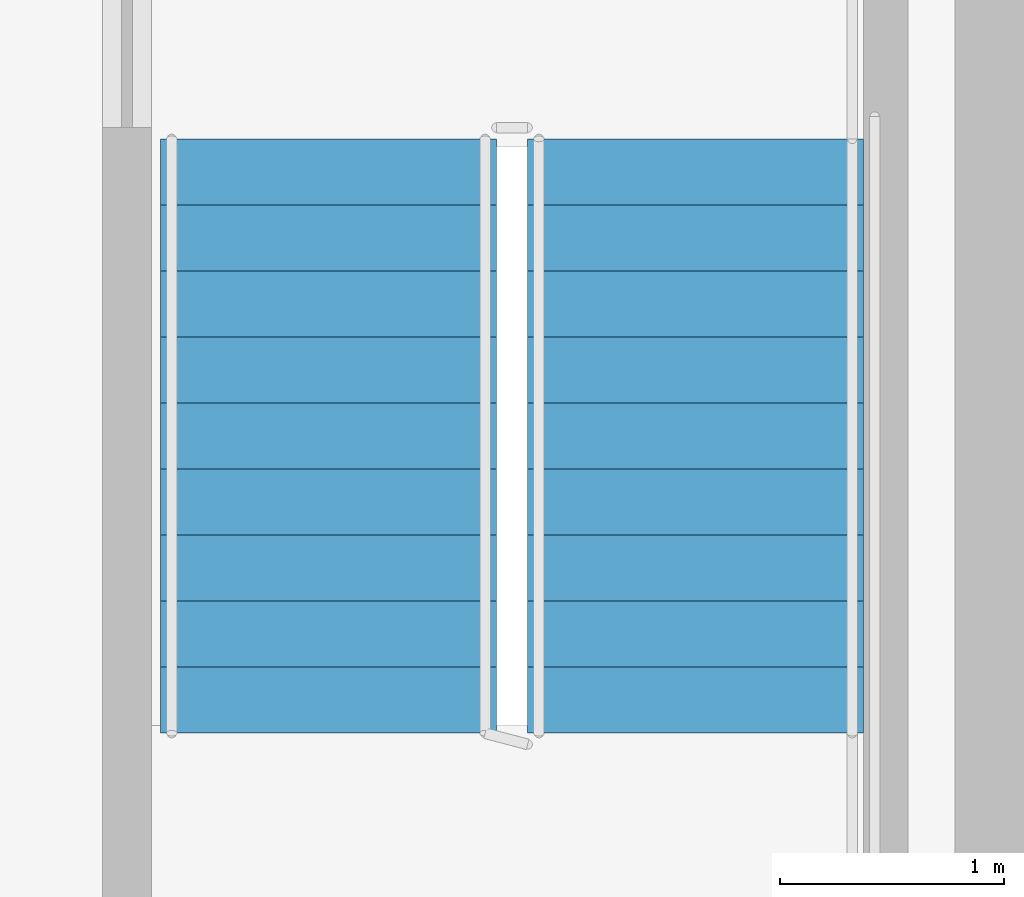
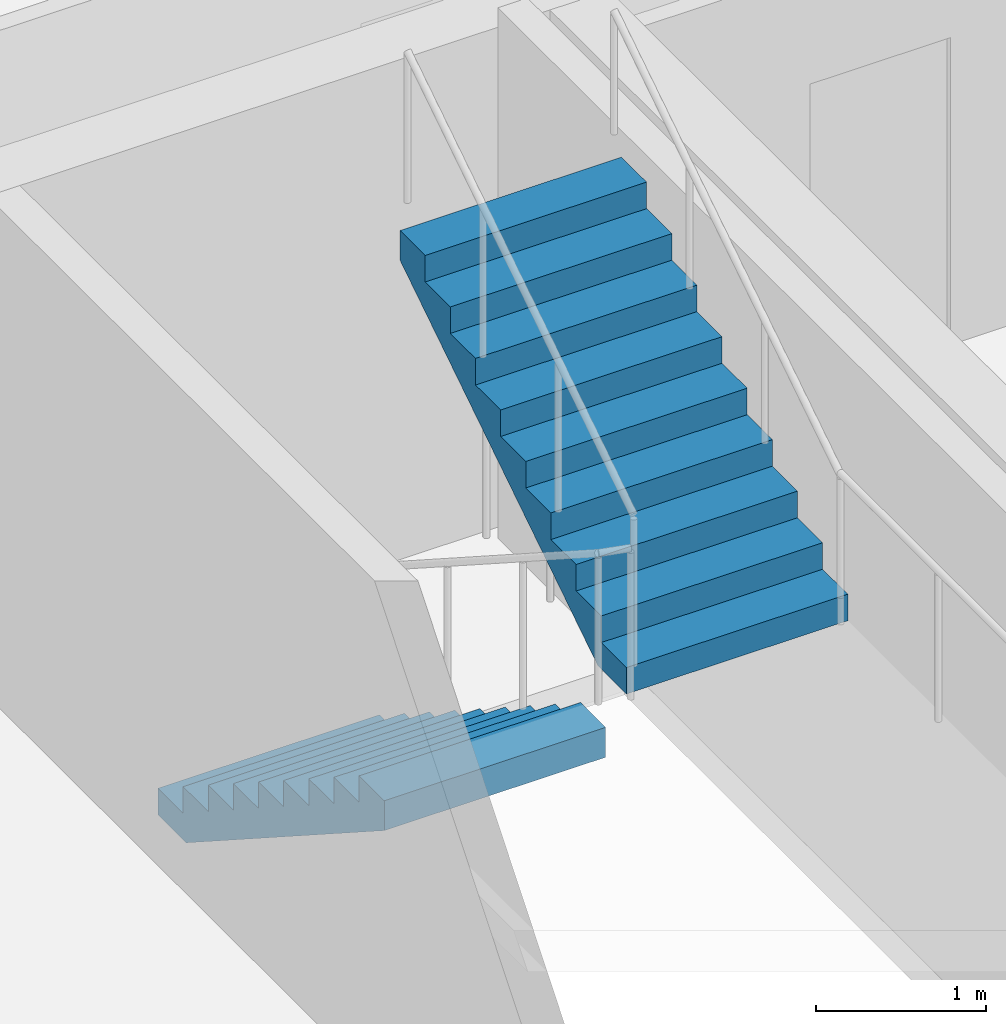
# One storey, part 26 of 29: 2 stair flights, 1 element without a shape of its own.
"""IFC4 building model written with IfcOpenShell, lengths in metres."""

import ifcopenshell
import ifcopenshell.guid

model = None  # the IFC model being written
_history = None  # IfcOwnerHistory: only IFC2X3 demands one
_inside = {}  # id of a spatial element -> (the spatial element, [elements in it])
_under = {}  # id of a project, library or spatial element -> (it, [spatial elements below it])
_declared = {}  # id of a project -> (the project, [libraries it declares])
_typed = {}  # id of a type object -> (the type object, [elements of that type])
_made_of = {}  # id of a material, layer set ... -> (it, [elements and type objects made of it])


def new_model(schema):
    """Start an empty IFC model of exactly this schema.

    Asked for "IFC4X3", IfcOpenShell would pick the latest addendum, in which some entities
    have other attributes; the version numbers below select the first issue.
    IFC2X3 requires an IfcOwnerHistory on every rooted entity: one is made here for all.
    """
    global model, _history
    if schema == "IFC4X3":
        model = ifcopenshell.file(schema_version=(4, 3, 0, 0))
    else:
        model = ifcopenshell.file(schema=schema)
    _inside.clear()
    _under.clear()
    _declared.clear()
    _typed.clear()
    _made_of.clear()
    _history = None
    if model.schema == "IFC2X3":
        org = make("IfcOrganization", Name="unknown")
        user = make(
            "IfcPersonAndOrganization",
            ThePerson=make("IfcPerson", FamilyName="unknown"),
            TheOrganization=org,
        )
        app = make(
            "IfcApplication",
            ApplicationDeveloper=org,
            Version="unknown",
            ApplicationFullName="unknown",
            ApplicationIdentifier="unknown",
        )
        _history = make(
            "IfcOwnerHistory",
            OwningUser=user,
            OwningApplication=app,
            ChangeAction="ADDED",
            CreationDate=0,
        )
    return model


def make(cls, **values):
    """One entity of the class cls with the attributes given. An attribute that is None is left unset."""
    return model.create_entity(
        cls, **{name: value for name, value in values.items() if value is not None}
    )


def rooted(cls, **values):
    """An entity with a GlobalId (a new one), such as an element, a storey or a relation."""
    return make(cls, GlobalId=ifcopenshell.guid.new(), OwnerHistory=_history, **values)


def si_unit(unit_type, name, prefix=None):
    """IfcSIUnit, for example si_unit("LENGTHUNIT", "METRE", prefix="MILLI")."""
    return make("IfcSIUnit", UnitType=unit_type, Prefix=prefix, Name=name)


def assignment(units):
    """IfcUnitAssignment: the units of a project."""
    return None if units is None else make("IfcUnitAssignment", Units=units)


def point(xyz):
    """IfcCartesianPoint."""
    return None if xyz is None else make("IfcCartesianPoint", Coordinates=xyz)


def direction(xyz):
    """IfcDirection."""
    return None if xyz is None else make("IfcDirection", DirectionRatios=xyz)


def frame(location, z_axis=None, x_axis=None):
    """IfcAxis2Placement3D, a coordinate frame: its origin and axes. An axis left out is left unset."""
    return make(
        "IfcAxis2Placement3D",
        Location=point(location),
        Axis=direction(z_axis),
        RefDirection=direction(x_axis),
    )


def origin():
    """The frame at (0, 0, 0) with its axes left unset."""
    return frame((0.0, 0.0, 0.0))


def place(relative_to, where):
    """IfcLocalPlacement: puts the frame where relative to a parent placement (None: the world)."""
    return make(
        "IfcLocalPlacement", PlacementRelTo=relative_to, RelativePlacement=where
    )


def context(
    kind, dimensions, precision=None, world=None, true_north=None, identifier=None
):
    """IfcGeometricRepresentationContext, for example the 3D "Model" context."""
    return make(
        "IfcGeometricRepresentationContext",
        ContextIdentifier=identifier,
        ContextType=kind,
        CoordinateSpaceDimension=dimensions,
        Precision=precision,
        WorldCoordinateSystem=world,
        TrueNorth=true_north,
    )


def subcontext(parent, identifier, kind, view, scale=None):
    """IfcGeometricRepresentationSubContext, for example "Body" below "Model"."""
    return make(
        "IfcGeometricRepresentationSubContext",
        ContextIdentifier=identifier,
        ContextType=kind,
        ParentContext=parent,
        TargetScale=scale,
        TargetView=view,
    )


def project(units=None, contexts=None):
    """IfcProject with its units and contexts."""
    return rooted(
        "IfcProject",
        Name="project",
        RepresentationContexts=contexts,
        UnitsInContext=assignment(units),
    )


def spatial(cls, under=None, at=None, **own):
    """A site, building, storey or space (cls), placed at a placement, below another one or the project."""
    s = rooted(cls, ObjectPlacement=at, **own)
    if under is not None:
        _under.setdefault(under.id(), (under, []))[1].append(s)
    return s


def polyline(points):
    """IfcPolyline through the points."""
    return make("IfcPolyline", Points=[point(p) for p in points])


def outline(outer, holes=None, kind="AREA"):
    """IfcArbitraryClosedProfileDef: a profile drawn as a closed curve; with holes, ...WithVoids."""
    if holes is None:
        return make("IfcArbitraryClosedProfileDef", ProfileType=kind, OuterCurve=outer)
    return make(
        "IfcArbitraryProfileDefWithVoids",
        ProfileType=kind,
        OuterCurve=outer,
        InnerCurves=holes,
    )


def extrude(swept, where, along, depth):
    """IfcExtrudedAreaSolid: the profile swept, set in the frame where, extruded along a direction by depth."""
    return make(
        "IfcExtrudedAreaSolid",
        SweptArea=swept,
        Position=where,
        ExtrudedDirection=direction(along),
        Depth=depth,
    )


def shape(context_of_items, identifier, shape_type, items):
    """IfcShapeRepresentation: the items that make up one representation, for example the "Body"."""
    return make(
        "IfcShapeRepresentation",
        ContextOfItems=context_of_items,
        RepresentationIdentifier=identifier,
        RepresentationType=shape_type,
        Items=items,
    )


def material(Name=None, Category=None):
    """IfcMaterial."""
    return make("IfcMaterial", Name=Name, Category=Category)


def made_of(thing, what):
    """Note that an element or type object is made of a material, layer set ...; save() writes the relation."""
    if what is not None:
        _made_of.setdefault(what.id(), (what, []))[1].append(thing)
    return thing


def type_object(cls, material=None, **own):
    """A type object (cls), such as IfcWallType, which elements share."""
    return made_of(rooted(cls, **own), material)


def element(
    cls,
    number,
    at=None,
    inside=None,
    cuts=None,
    type_object=None,
    material=None,
    context=None,
    identifier="Body",
    shape_type=None,
    held_by="IfcProductDefinitionShape",
    body=None,
    shapes=None,
    **own,
):
    """One element of the class cls, such as IfcWall. Its Tag is "e" and its number.

    at: its placement. inside: the storey or other place that contains it. cuts: it is an
    opening in that element (IfcRelVoidsElement). A single representation is given by context,
    identifier, shape_type and body (its items); several are given by shapes. held_by: the class
    of the entity that holds the representations. save() writes the other relations.
    """
    e = rooted(cls, Tag="e%d" % number, ObjectPlacement=at, **own)
    if body is not None:
        shapes = [shape(context, identifier, shape_type, body)]
    if shapes is not None:
        e.Representation = make(held_by, Representations=shapes)
    if inside is not None:
        _inside.setdefault(inside.id(), (inside, []))[1].append(e)
    if cuts is not None:
        rooted(
            "IfcRelVoidsElement", RelatingBuildingElement=cuts, RelatedOpeningElement=e
        )
    if type_object is not None:
        _typed.setdefault(type_object.id(), (type_object, []))[1].append(e)
    return made_of(e, material)


def aggregate(whole, parts):
    """IfcRelAggregates: a whole, such as a stair, and the parts it consists of."""
    return rooted("IfcRelAggregates", RelatingObject=whole, RelatedObjects=parts)


def save(model, path):
    """Write the relations noted so far, then the file.

    IfcRelAggregates (storeys below a building ...), IfcRelContainedInSpatialStructure (elements
    in a storey), IfcRelDefinesByType, IfcRelAssociatesMaterial and IfcRelDeclares: one each for
    every whole, place, type object, material and project.
    """
    for whole, parts in _under.values():
        aggregate(whole, parts)
    for where, things in _inside.values():
        rooted(
            "IfcRelContainedInSpatialStructure",
            RelatedElements=things,
            RelatingStructure=where,
        )
    for kind, things in _typed.values():
        rooted("IfcRelDefinesByType", RelatedObjects=things, RelatingType=kind)
    for what, things in _made_of.values():
        rooted("IfcRelAssociatesMaterial", RelatedObjects=things, RelatingMaterial=what)
    for by, libraries in _declared.values():
        rooted("IfcRelDeclares", RelatingContext=by, RelatedDefinitions=libraries)
    model.write(path)


model = new_model("IFC4")

# Units and contexts
model_context = context("Model", 3, precision=1e-05, world=origin(), true_north=direction((0.0, 1.0)))
body_context = subcontext(model_context, "Body", "Model", "MODEL_VIEW")
ifc_project = project(units=[si_unit("LENGTHUNIT", "METRE"), si_unit("AREAUNIT", "SQUARE_METRE"), si_unit("VOLUMEUNIT", "CUBIC_METRE"), si_unit("PLANEANGLEUNIT", "RADIAN"), si_unit("MASSUNIT", "GRAM", prefix="KILO")], contexts=[model_context])

# Site, building, storey
site_placement = place(None, origin())
site = spatial("IfcSite", under=ifc_project, at=site_placement, CompositionType="ELEMENT")
building_placement = place(site_placement, origin())
building = spatial("IfcBuilding", under=site, at=building_placement, Name="Ndaravel Arena Tower", CompositionType="ELEMENT")
storey_placement = place(building_placement, frame((0.0, 0.0, 237.0)))
storey = spatial("IfcBuildingStorey", under=building, at=storey_placement, Name="L57", CompositionType="ELEMENT", Elevation=237.0)

# Stair, stair flights
ifc_material_1 = material(Name="Concrete C40/50", Category="concrete")
stair_type = type_object("IfcStairType", Name="STAIR-CORE-HT", PredefinedType="HALF_TURN_STAIR", material=ifc_material_1)
stair_placement = place(storey_placement, origin())
stair = element("IfcStair", 1, at=stair_placement, inside=storey, type_object=stair_type, Name="L57 ST-3", PredefinedType="HALF_TURN_STAIR")
ifc_material_2 = material(Name="Concrete C40/50", Category="concrete")
stair_flight_type = type_object("IfcStairFlightType", Name="SFLIGHT-CORE-1680", PredefinedType="STRAIGHT", material=ifc_material_2)
stair_flight_1_placement = place(storey_placement, frame((54.35009765625, 13.25, 0.0), z_axis=(0.0, 0.0, 1.0), x_axis=(0.0, -1.0, 0.0)))
stair_flight_1 = element("IfcStairFlight", 2, at=stair_flight_1_placement, type_object=stair_flight_type, Name="ST-3 flight 1", NumberOfRisers=10, NumberOfTreads=9, PredefinedType="STRAIGHT", RiserHeight=0.19, TreadLength=0.295, context=body_context, shape_type="SweptSolid", body=[
    extrude(outline(polyline([(0.0, 0.0), (0.0, 0.18994140625), (0.294921875, 0.18994140625), (0.294921875, 0.3798828125), (0.590087890625, 0.3798828125), (0.590087890625, 0.570068359375), (0.885009765625, 0.570068359375), (0.885009765625, 0.760009765625), (1.179931640625, 0.760009765625), (1.179931640625, 0.949951171875), (1.47509765625, 0.949951171875), (1.47509765625, 1.139892578125), (1.77001953125, 1.139892578125), (1.77001953125, 1.330078125), (2.06494140625, 1.330078125), (2.06494140625, 1.52001953125), (2.360107421875, 1.52001953125), (2.360107421875, 1.7099609375), (2.655029296875, 1.7099609375), (2.655029296875, 1.89990234375), (2.655029296875, 1.49609375), (0.332275390625, 0.0), (0.0, 0.0)])), frame((0.0, 0.75, 0.0), z_axis=(0.0, -1.0, 0.0), x_axis=(1.0, 0.0, 0.0)), (0.0, 0.0, 1.0), 1.5),
])
stair_flight_2_placement = place(storey_placement, frame((55.989990234375, 10.594970703125, 1.89990234375), z_axis=(0.0, 0.0, 1.0), x_axis=(0.0, 1.0, 0.0)))
stair_flight_2 = element("IfcStairFlight", 3, at=stair_flight_2_placement, type_object=stair_flight_type, Name="ST-3 flight 2", NumberOfRisers=10, NumberOfTreads=9, PredefinedType="STRAIGHT", RiserHeight=0.19, TreadLength=0.295, context=body_context, shape_type="SweptSolid", body=[
    extrude(outline(polyline([(0.0, 0.0), (0.0, 0.18994140625), (0.294921875, 0.18994140625), (0.294921875, 0.3798828125), (0.590087890625, 0.3798828125), (0.590087890625, 0.570068359375), (0.885009765625, 0.570068359375), (0.885009765625, 0.760009765625), (1.179931640625, 0.760009765625), (1.179931640625, 0.949951171875), (1.47509765625, 0.949951171875), (1.47509765625, 1.139892578125), (1.77001953125, 1.139892578125), (1.77001953125, 1.330078125), (2.06494140625, 1.330078125), (2.06494140625, 1.52001953125), (2.360107421875, 1.52001953125), (2.360107421875, 1.7099609375), (2.655029296875, 1.7099609375), (2.655029296875, 1.89990234375), (2.655029296875, 1.49609375), (0.332275390625, 0.0), (0.0, 0.0)])), frame((0.0, 0.75, 0.0), z_axis=(0.0, -1.0, 0.0), x_axis=(1.0, 0.0, 0.0)), (0.0, 0.0, 1.0), 1.5),
])
aggregate(stair, [stair_flight_1, stair_flight_2])

save(model, "model.ifc")
